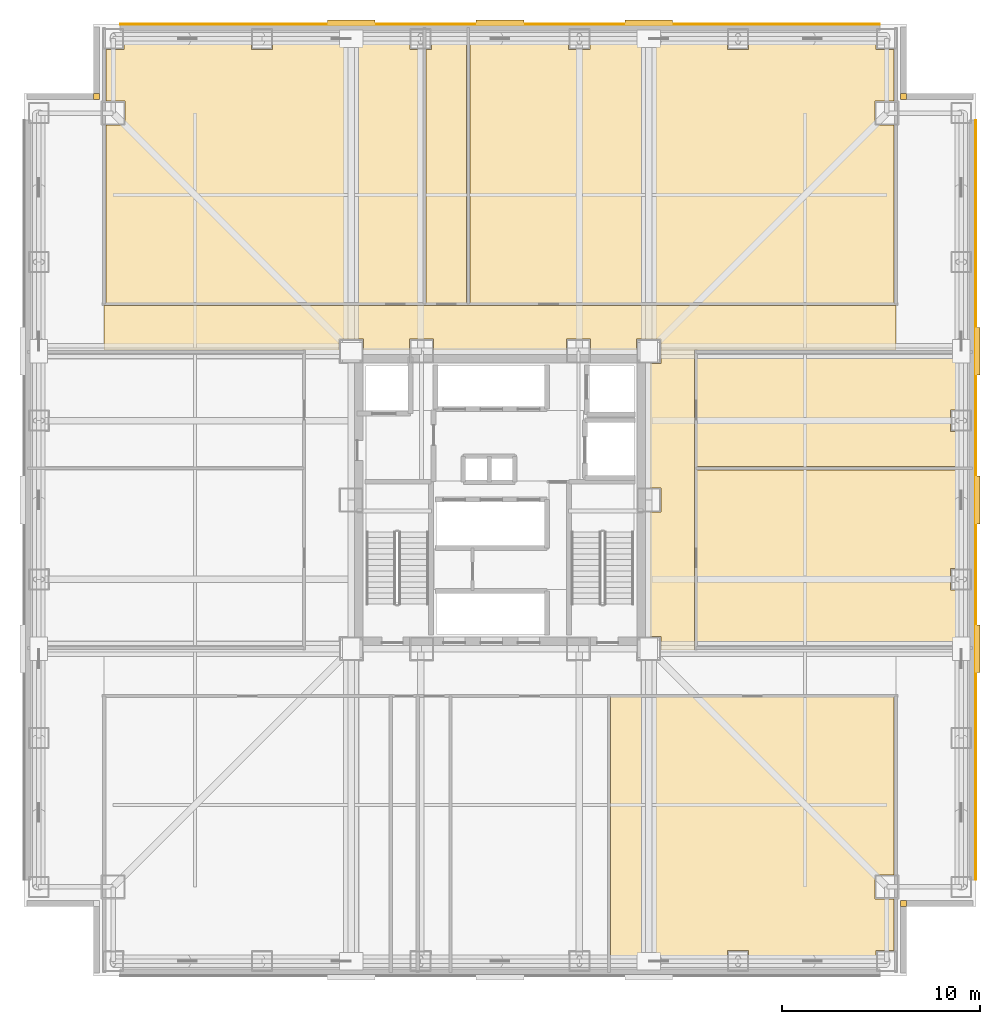
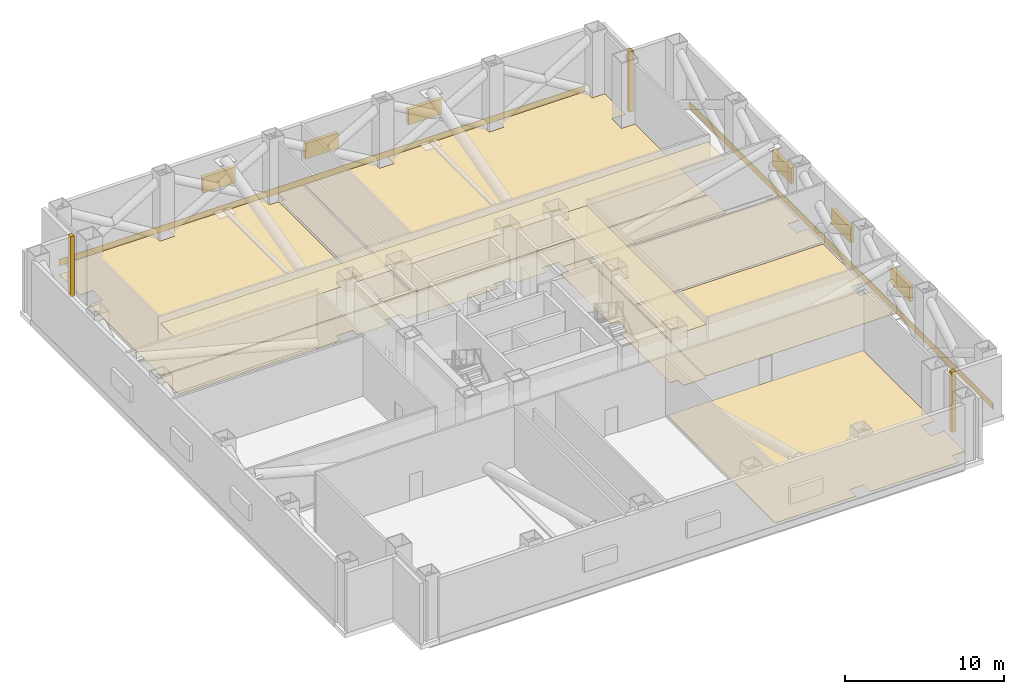
# One storey, part 8 of 8: 15 coverings, 6 shading devices.
"""IFC4 building model written with IfcOpenShell, lengths in metres."""

from ifc_helpers import new_model, si_unit, direction, frame, frame_2d, origin, origin_2d, place, context, subcontext, project, spatial, polyline, rectangle, outline, extrude, material, layer, layer_set, type_object, element, save


model = new_model("IFC4")

# Units and contexts
model_context = context("Model", 3, precision=1e-05, world=origin(), true_north=direction((0.0, 1.0)))
body_context = subcontext(model_context, "Body", "Model", "MODEL_VIEW")
ifc_project = project(units=[si_unit("LENGTHUNIT", "METRE"), si_unit("AREAUNIT", "SQUARE_METRE"), si_unit("VOLUMEUNIT", "CUBIC_METRE"), si_unit("PLANEANGLEUNIT", "RADIAN"), si_unit("MASSUNIT", "GRAM", prefix="KILO")], contexts=[model_context])

# Site, building, storey
site_placement = place(None, origin())
site = spatial("IfcSite", under=ifc_project, at=site_placement, CompositionType="ELEMENT")
building_placement = place(site_placement, origin())
building = spatial("IfcBuilding", under=site, at=building_placement, Name="Trevonay Congress Spire", CompositionType="ELEMENT")
storey_placement = place(building_placement, frame((0.0, 0.0, 83.0)))
storey = spatial("IfcBuildingStorey", under=building, at=storey_placement, Name="L21", CompositionType="ELEMENT", Elevation=83.0)

# Coverings
ifc_material_1 = material(Name="Acoustic Mineral Fibre Board", Category="gypsum")
ifc_layer_1 = layer(ifc_material_1, 0.02490234375, Name="Acoustic Mineral Fibre Board")
ifc_layer_set_1 = layer_set([ifc_layer_1], Name="Acoustic Mineral Fibre Board")
covering_type_1 = type_object("IfcCoveringType", Name="COV-CEIL-ACOUSTIC", PredefinedType="CEILING", material=ifc_layer_set_1)
covering_1_placement = place(storey_placement, frame((0.0, 0.0, 4.10009765625)))
element("IfcCovering", 1, at=covering_1_placement, inside=storey, type_object=covering_type_1, Name="L21 Plant and Refuge Corridor North acoustic suspended ceiling", PredefinedType="CEILING", context=body_context, shape_type="SweptSolid", body=[
    extrude(outline(polyline([(-19.949951171875, 7.550048828125), (-19.949951171875, 9.800048828125), (19.949951171875, 9.800048828125), (19.949951171875, 7.550048828125), (8.110107421875, 7.550048828125), (8.110107421875, 8.110107421875), (6.889892578125, 8.110107421875), (6.889892578125, 7.550048828125), (4.56005859375, 7.550048828125), (4.56005859375, 8.110107421875), (3.340087890625, 8.110107421875), (3.340087890625, 7.550048828125), (-3.340087890625, 7.550048828125), (-3.340087890625, 8.110107421875), (-4.56005859375, 8.110107421875), (-4.56005859375, 7.550048828125), (-6.889892578125, 7.550048828125), (-6.889892578125, 8.110107421875), (-8.110107421875, 8.110107421875), (-8.110107421875, 7.550048828125), (-19.949951171875, 7.550048828125)])), origin(), (0.0, 0.0, 1.0), 0.02490234375),
])
covering_2_placement = place(storey_placement, frame((0.0, 0.0, 4.10009765625)))
element("IfcCovering", 2, at=covering_2_placement, inside=storey, type_object=covering_type_1, Name="L21 Plant and Refuge Corridor East acoustic suspended ceiling", PredefinedType="CEILING", context=body_context, shape_type="SweptSolid", body=[
    extrude(outline(polyline([(9.800048828125, -7.550048828125), (8.110107421875, -7.550048828125), (8.110107421875, -6.889892578125), (7.550048828125, -6.889892578125), (7.550048828125, -0.610107421875), (8.110107421875, -0.610107421875), (8.110107421875, 0.610107421875), (7.550048828125, 0.610107421875), (7.550048828125, 6.889892578125), (8.110107421875, 6.889892578125), (8.110107421875, 7.550048828125), (9.800048828125, 7.550048828125), (9.800048828125, -7.550048828125)])), origin(), (0.0, 0.0, 1.0), 0.02490234375),
])
ifc_material_2 = material(Name="Polished Granite Floor Tile", Category="masonry")
ifc_layer_2 = layer(ifc_material_2, 0.02001953125, Name="Polished Granite Floor Tile")
ifc_layer_set_2 = layer_set([ifc_layer_2], Name="Polished Granite Floor Tile")
covering_type_2 = type_object("IfcCoveringType", Name="COV-FLOOR-STONE", PredefinedType="FLOORING", material=ifc_layer_set_2)
covering_3_placement = place(storey_placement, origin())
element("IfcCovering", 3, at=covering_3_placement, inside=storey, type_object=covering_type_2, Name="L21 Plant and Refuge Corridor North floor finish", PredefinedType="FLOORING", context=body_context, shape_type="SweptSolid", body=[
    extrude(outline(polyline([(-19.949951171875, 7.550048828125), (-19.949951171875, 9.800048828125), (19.949951171875, 9.800048828125), (19.949951171875, 7.550048828125), (8.110107421875, 7.550048828125), (8.110107421875, 8.110107421875), (6.889892578125, 8.110107421875), (6.889892578125, 7.550048828125), (4.56005859375, 7.550048828125), (4.56005859375, 8.110107421875), (3.340087890625, 8.110107421875), (3.340087890625, 7.550048828125), (-3.340087890625, 7.550048828125), (-3.340087890625, 8.110107421875), (-4.56005859375, 8.110107421875), (-4.56005859375, 7.550048828125), (-6.889892578125, 7.550048828125), (-6.889892578125, 8.110107421875), (-8.110107421875, 8.110107421875), (-8.110107421875, 7.550048828125), (-19.949951171875, 7.550048828125)])), origin(), (0.0, 0.0, 1.0), 0.02001953125),
])
covering_4_placement = place(storey_placement, origin())
element("IfcCovering", 4, at=covering_4_placement, inside=storey, type_object=covering_type_2, Name="L21 Plant and Refuge Corridor East floor finish", PredefinedType="FLOORING", context=body_context, shape_type="SweptSolid", body=[
    extrude(outline(polyline([(9.800048828125, -7.550048828125), (8.110107421875, -7.550048828125), (8.110107421875, -6.889892578125), (7.550048828125, -6.889892578125), (7.550048828125, -0.610107421875), (8.110107421875, -0.610107421875), (8.110107421875, 0.610107421875), (7.550048828125, 0.610107421875), (7.550048828125, 6.889892578125), (8.110107421875, 6.889892578125), (8.110107421875, 7.550048828125), (9.800048828125, 7.550048828125), (9.800048828125, -7.550048828125)])), origin(), (0.0, 0.0, 1.0), 0.02001953125),
])
covering_5_placement = place(storey_placement, origin())
element("IfcCovering", 5, at=covering_5_placement, inside=storey, type_object=covering_type_2, Name="L21 Heat-Recovery Exhaust Plant floor finish", PredefinedType="FLOORING", context=body_context, shape_type="SweptSolid", body=[
    extrude(outline(polyline([(5.580078125, -23.550048828125), (5.580078125, -9.8798828125), (19.8701171875, -9.8798828125), (19.8701171875, -18.889892578125), (18.889892578125, -18.889892578125), (18.889892578125, -20.110107421875), (19.8701171875, -20.110107421875), (19.8701171875, -22.715087890625), (18.965087890625, -22.715087890625), (18.965087890625, -23.550048828125), (12.534912109375, -23.550048828125), (12.534912109375, -22.715087890625), (11.465087890625, -22.715087890625), (11.465087890625, -23.550048828125), (5.580078125, -23.550048828125)])), origin(), (0.0, 0.0, 1.0), 0.02001953125),
])
covering_6_placement = place(storey_placement, origin())
element("IfcCovering", 6, at=covering_6_placement, inside=storey, type_object=covering_type_2, Name="L21 Electrical HV Transformer Room floor finish", PredefinedType="FLOORING", context=body_context, shape_type="SweptSolid", body=[
    extrude(outline(polyline([(-3.8798828125, 9.8798828125), (-19.8701171875, 9.8798828125), (-19.8701171875, 18.889892578125), (-18.889892578125, 18.889892578125), (-18.889892578125, 20.110107421875), (-19.8701171875, 20.110107421875), (-19.8701171875, 22.715087890625), (-18.965087890625, 22.715087890625), (-18.965087890625, 23.550048828125), (-12.534912109375, 23.550048828125), (-12.534912109375, 22.715087890625), (-11.465087890625, 22.715087890625), (-11.465087890625, 23.550048828125), (-4.534912109375, 23.550048828125), (-4.534912109375, 22.715087890625), (-3.8798828125, 22.715087890625), (-3.8798828125, 9.8798828125)])), origin(), (0.0, 0.0, 1.0), 0.02001953125),
])
covering_7_placement = place(storey_placement, origin())
element("IfcCovering", 7, at=covering_7_placement, inside=storey, type_object=covering_type_2, Name="L21 Sprinkler Break-Tank and Pump Room floor finish", PredefinedType="FLOORING", context=body_context, shape_type="SweptSolid", body=[
    extrude(outline(polyline([(-1.679931640625, 23.550048828125), (-1.679931640625, 9.8798828125), (-3.719970703125, 9.8798828125), (-3.719970703125, 22.715087890625), (-3.465087890625, 22.715087890625), (-3.465087890625, 23.550048828125), (-1.679931640625, 23.550048828125)])), origin(), (0.0, 0.0, 1.0), 0.02001953125),
])
covering_8_placement = place(storey_placement, origin())
element("IfcCovering", 8, at=covering_8_placement, inside=storey, type_object=covering_type_2, Name="L21 Smoke Extract Plenum Room floor finish", PredefinedType="FLOORING", context=body_context, shape_type="SweptSolid", body=[
    extrude(outline(polyline([(19.8701171875, 9.8798828125), (-1.52001953125, 9.8798828125), (-1.52001953125, 23.550048828125), (3.465087890625, 23.550048828125), (3.465087890625, 22.715087890625), (4.534912109375, 22.715087890625), (4.534912109375, 23.550048828125), (11.465087890625, 23.550048828125), (11.465087890625, 22.715087890625), (12.534912109375, 22.715087890625), (12.534912109375, 23.550048828125), (18.965087890625, 23.550048828125), (18.965087890625, 22.715087890625), (19.8701171875, 22.715087890625), (19.8701171875, 20.110107421875), (18.889892578125, 20.110107421875), (18.889892578125, 18.889892578125), (19.8701171875, 18.889892578125), (19.8701171875, 9.8798828125)])), origin(), (0.0, 0.0, 1.0), 0.02001953125),
])
covering_9_placement = place(storey_placement, origin())
element("IfcCovering", 9, at=covering_9_placement, inside=storey, type_object=covering_type_2, Name="L21 Refuge Area East floor finish", PredefinedType="FLOORING", context=body_context, shape_type="SweptSolid", body=[
    extrude(outline(polyline([(23.550048828125, -7.3701171875), (9.8798828125, -7.3701171875), (9.8798828125, 1.52001953125), (23.550048828125, 1.52001953125), (23.550048828125, -3.465087890625), (22.715087890625, -3.465087890625), (22.715087890625, -4.534912109375), (23.550048828125, -4.534912109375), (23.550048828125, -7.3701171875)])), origin(), (0.0, 0.0, 1.0), 0.02001953125),
])
covering_10_placement = place(storey_placement, origin())
element("IfcCovering", 10, at=covering_10_placement, inside=storey, type_object=covering_type_2, Name="L21 Domestic Water Booster Room floor finish", PredefinedType="FLOORING", context=body_context, shape_type="SweptSolid", body=[
    extrude(outline(polyline([(23.550048828125, 1.679931640625), (9.8798828125, 1.679931640625), (9.8798828125, 7.3701171875), (23.550048828125, 7.3701171875), (23.550048828125, 4.534912109375), (22.715087890625, 4.534912109375), (22.715087890625, 3.465087890625), (23.550048828125, 3.465087890625), (23.550048828125, 1.679931640625)])), origin(), (0.0, 0.0, 1.0), 0.02001953125),
])
ifc_material_3 = material(Name="Pale Anodised Aluminium EN AW-6063-T6", Category="aluminium")
ifc_layer_3 = layer(ifc_material_3, 0.0400390625, Name="Pale Anodised Aluminium EN AW-6063-T6")
ifc_layer_set_3 = layer_set([ifc_layer_3], Name="Pale Anodised Aluminium EN AW-6063-T6")
covering_type_3 = type_object("IfcCoveringType", Name="COV-SPANDREL-PALE-METAL", PredefinedType="CLADDING", material=ifc_layer_set_3)
for number, where, z_axis, x_axis, name in (
    (11, (-19.14990234375, 23.97998046875, -0.35009765625), (0.0, 0.0, 1.0), (1.0, 0.0, 0.0), "L21 N pale-metal belt-truss spandrel cladding"),
    (12, (23.97998046875, -19.14990234375, -0.35009765625), (0.0, 0.0, 1.0), (0.0, 1.0, 0.0), "L21 E pale-metal belt-truss spandrel cladding"),
):
    element("IfcCovering", number, at=place(storey_placement, frame(where, z_axis=z_axis, x_axis=x_axis)), inside=storey, type_object=covering_type_3, Name=name, PredefinedType="CLADDING", context=body_context, shape_type="SweptSolid", body=[
        extrude(rectangle(XDim=38.2998046875, YDim=0.0400390625, at=frame_2d((19.14990234375, 0.0))), origin(), (0.0, 0.0, 1.0), 0.5),
    ])
covering_11_placement = place(storey_placement, origin())
element("IfcCovering", 13, at=covering_11_placement, inside=storey, type_object=covering_type_3, Name="L21 SE re-entrant notch corner closure trim", PredefinedType="CLADDING", context=body_context, shape_type="SweptSolid", body=[
    extrude(outline(polyline([(20.199951171875, -20.5), (20.5, -20.5), (20.5, -20.199951171875), (20.199951171875, -20.199951171875), (20.199951171875, -20.5)])), origin(), (0.0, 0.0, 1.0), 4.64990234375),
])
covering_12_placement = place(storey_placement, origin())
element("IfcCovering", 14, at=covering_12_placement, inside=storey, type_object=covering_type_3, Name="L21 NE re-entrant notch corner closure trim", PredefinedType="CLADDING", context=body_context, shape_type="SweptSolid", body=[
    extrude(outline(polyline([(20.199951171875, 20.199951171875), (20.5, 20.199951171875), (20.5, 20.5), (20.199951171875, 20.5), (20.199951171875, 20.199951171875)])), origin(), (0.0, 0.0, 1.0), 4.64990234375),
])
covering_13_placement = place(storey_placement, origin())
element("IfcCovering", 15, at=covering_13_placement, inside=storey, type_object=covering_type_3, Name="L21 NW re-entrant notch corner closure trim", PredefinedType="CLADDING", context=body_context, shape_type="SweptSolid", body=[
    extrude(outline(polyline([(-20.5, 20.199951171875), (-20.199951171875, 20.199951171875), (-20.199951171875, 20.5), (-20.5, 20.5), (-20.5, 20.199951171875)])), origin(), (0.0, 0.0, 1.0), 4.64990234375),
])

# Shading devices
shading_device_type = type_object("IfcShadingDeviceType", Name="SHD-LOUVRE-PLANT-ALUM", PredefinedType="USERDEFINED", material=ifc_material_3)
for number, where, z_axis, x_axis, name in (
    (16, (-7.5, 24.070068359375, 1.60009765625), (0.0, 0.0, 1.0), (1.0, 0.0, 0.0), "L21 N acoustic plant intake louvre 1"),
    (17, (0.0, 24.070068359375, 1.60009765625), (0.0, 0.0, 1.0), (1.0, 0.0, 0.0), "L21 N acoustic plant intake louvre 2"),
    (18, (7.5, 24.070068359375, 1.60009765625), (0.0, 0.0, 1.0), (1.0, 0.0, 0.0), "L21 N acoustic plant intake louvre 3"),
    (19, (24.070068359375, -7.5, 1.60009765625), (0.0, 0.0, 1.0), (0.0, 1.0, 0.0), "L21 E acoustic plant intake louvre 1"),
    (20, (24.070068359375, 0.0, 1.60009765625), (0.0, 0.0, 1.0), (0.0, 1.0, 0.0), "L21 E acoustic plant intake louvre 2"),
    (21, (24.070068359375, 7.5, 1.60009765625), (0.0, 0.0, 1.0), (0.0, 1.0, 0.0), "L21 E acoustic plant intake louvre 3"),
):
    element("IfcShadingDevice", number, at=place(storey_placement, frame(where, z_axis=z_axis, x_axis=x_axis)), inside=storey, type_object=shading_device_type, Name=name, ObjectType="LOUVRE", PredefinedType="USERDEFINED", context=body_context, shape_type="SweptSolid", body=[
        extrude(rectangle(XDim=2.39990234375, YDim=0.25, at=origin_2d()), origin(), (0.0, 0.0, 1.0), 1.199951171875),
    ])

save(model, "model.ifc")
